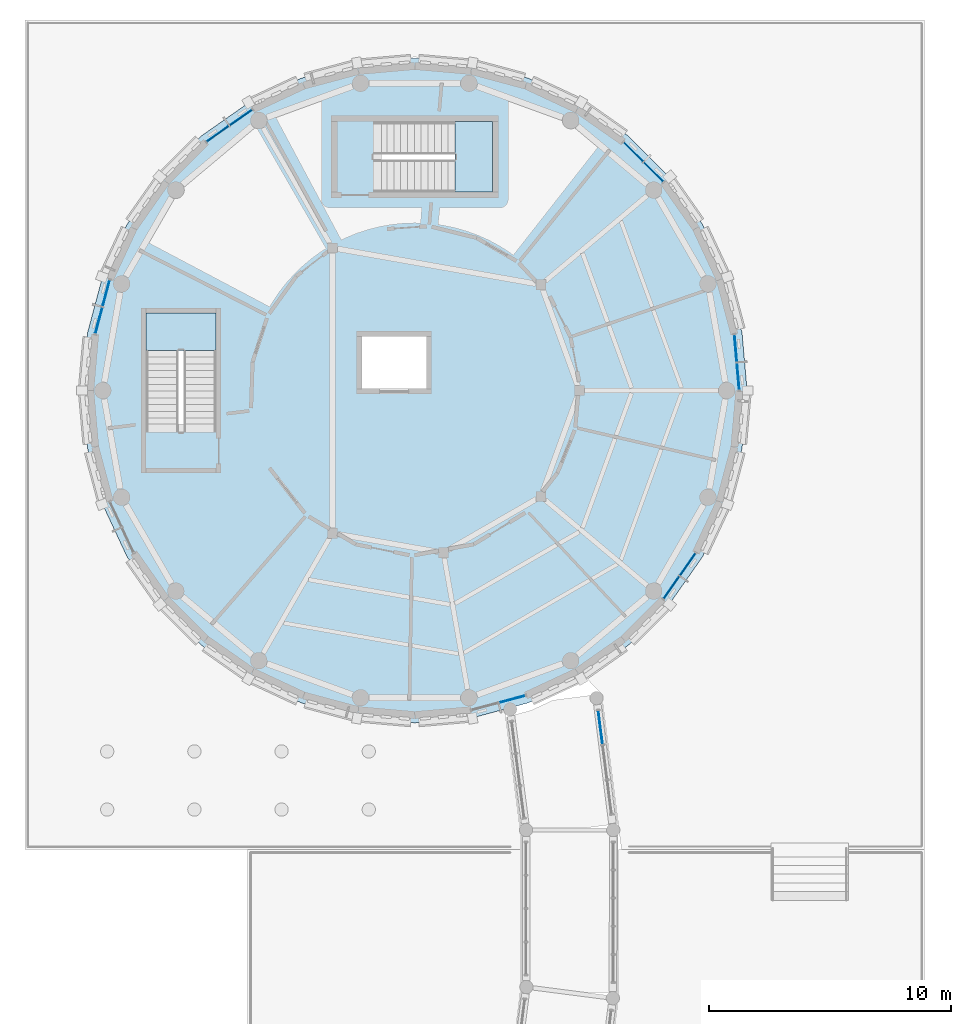
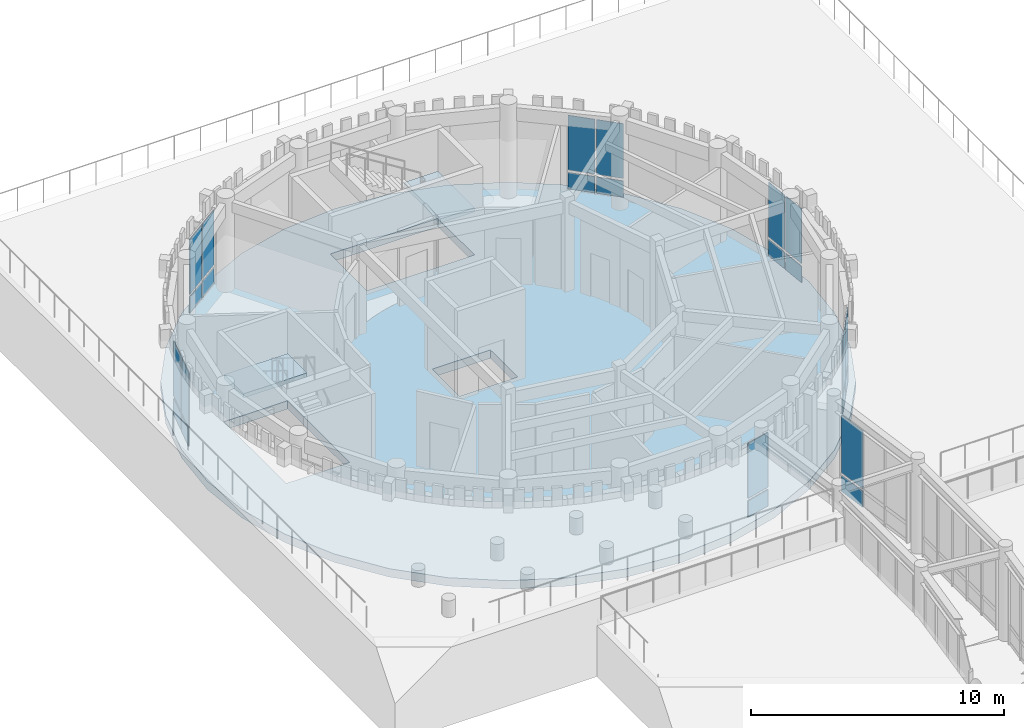
# One storey, part 39 of 94: 24 plates, 3 slabs, 9 elements without a shape of their own.
"""IFC4 building model written with IfcOpenShell, lengths in metres."""

from ifc_helpers import new_model, si_unit, direction, frame, origin, origin_2d, place, context, subcontext, project, spatial, polyline, rectangle, outline, extrude, material, layer, layer_set, type_object, element, aggregate, save


model = new_model("IFC4")

# Units and contexts
model_context = context("Model", 3, precision=1e-05, world=origin(), true_north=direction((0.0, 1.0)))
body_context = subcontext(model_context, "Body", "Model", "MODEL_VIEW")
ifc_project = project(units=[si_unit("LENGTHUNIT", "METRE"), si_unit("AREAUNIT", "SQUARE_METRE"), si_unit("VOLUMEUNIT", "CUBIC_METRE"), si_unit("PLANEANGLEUNIT", "RADIAN"), si_unit("MASSUNIT", "GRAM", prefix="KILO")], contexts=[model_context])

# Site, building, storey
site_placement = place(None, origin())
site = spatial("IfcSite", under=ifc_project, at=site_placement, CompositionType="ELEMENT")
building_placement = place(site_placement, origin())
building = spatial("IfcBuilding", under=site, at=building_placement, Name="Aldenvaro Health Centre", CompositionType="ELEMENT")
storey_placement = place(building_placement, origin())
storey = spatial("IfcBuildingStorey", under=building, at=storey_placement, Name="L00", CompositionType="ELEMENT", Elevation=0.0)

# Curtain wall, plates
ifc_material_1 = material(Name="Anodised Aluminium 6063-T6", Category="aluminium")
ifc_layer_1 = layer(ifc_material_1, 0.195068359375, Name="Anodised Aluminium 6063-T6", Category="aluminium")
ifc_layer_set_1 = layer_set([ifc_layer_1], Name="Anodised Aluminium 6063-T6")
curtain_wall_type_1 = type_object("IfcCurtainWallType", Name="CW-CLN-02", PredefinedType="NOTDEFINED", material=ifc_layer_set_1)
curtain_wall_1_placement = place(storey_placement, origin())
curtain_wall_1 = element("IfcCurtainWall", 1, at=curtain_wall_1_placement, inside=storey, type_object=curtain_wall_type_1, Name="D4 L00 curtain wall bay 04", PredefinedType="NOTDEFINED")
ifc_material_2 = material(Name="Low-E Double Glazing IGU", Category="glass")
ifc_layer_2 = layer(ifc_material_2, 0.028076171875, Name="Low-E Double Glazing IGU", Category="glass")
ifc_layer_set_2 = layer_set([ifc_layer_2], Name="Low-E Double Glazing IGU")
plate_type_1 = type_object("IfcPlateType", Name="CWP-IGU-28", PredefinedType="CURTAIN_PANEL", material=ifc_layer_set_2)
plate_1_placement = place(storey_placement, frame((29.77001953125, 92.322021484375, 0.96044921875), z_axis=(0.0, 0.0, 1.0), x_axis=(-0.573720929857, -0.819050849853, 0.0)))
plate_1 = element("IfcPlate", 2, at=plate_1_placement, type_object=plate_type_1, Name="D4 L00 curtain wall bay 04 vision glazing 1", PredefinedType="CURTAIN_PANEL", context=body_context, shape_type="SweptSolid", body=[
    extrude(rectangle(XDim=1.097900390625, YDim=0.028076171875, at=origin_2d()), origin(), (0.0, 0.0, 1.0), 2.638916015625),
])
plate_2_placement = place(storey_placement, frame((29.10009765625, 91.364990234375, 0.96044921875), z_axis=(0.0, 0.0, 1.0), x_axis=(-0.573720929857, -0.819050849853, 0.0)))
plate_2 = element("IfcPlate", 3, at=plate_2_placement, type_object=plate_type_1, Name="D4 L00 curtain wall bay 04 vision glazing 2", PredefinedType="CURTAIN_PANEL", context=body_context, shape_type="SweptSolid", body=[
    extrude(rectangle(XDim=1.097900390625, YDim=0.028076171875, at=origin_2d()), origin(), (0.0, 0.0, 1.0), 2.638916015625),
])

# Curtain wall, plate
curtain_wall_2_placement = place(storey_placement, origin())
curtain_wall_2 = element("IfcCurtainWall", 4, at=curtain_wall_2_placement, inside=storey, type_object=curtain_wall_type_1, Name="D4 L00 curtain wall bay 08", PredefinedType="NOTDEFINED")
plate_3_placement = place(storey_placement, frame((22.51904296875, 86.757080078125, 0.96044921875), z_axis=(0.0, 0.0, 1.0), x_axis=(-0.965978620089, -0.258621935517, 0.0)))
plate_3 = element("IfcPlate", 5, at=plate_3_placement, type_object=plate_type_1, Name="D4 L00 curtain wall bay 08 vision glazing 1", PredefinedType="CURTAIN_PANEL", context=body_context, shape_type="SweptSolid", body=[
    extrude(rectangle(XDim=1.097900390625, YDim=0.028076171875, at=origin_2d()), origin(), (0.0, 0.0, 1.0), 2.638916015625),
])

# Curtain wall, plates
curtain_wall_3_placement = place(storey_placement, origin())
curtain_wall_3 = element("IfcCurtainWall", 6, at=curtain_wall_3_placement, inside=storey, type_object=curtain_wall_type_1, Name="D4 L00 curtain wall bay 20", PredefinedType="NOTDEFINED")
plate_4_placement = place(storey_placement, frame((5.455078125, 102.39111328125, 0.96044921875), z_axis=(0.0, 0.0, 1.0), x_axis=(0.258621935517, 0.965978620089, 0.0)))
plate_4 = element("IfcPlate", 7, at=plate_4_placement, type_object=plate_type_1, Name="D4 L00 curtain wall bay 20 vision glazing 1", PredefinedType="CURTAIN_PANEL", context=body_context, shape_type="SweptSolid", body=[
    extrude(rectangle(XDim=1.097900390625, YDim=0.028076171875, at=origin_2d()), origin(), (0.0, 0.0, 1.0), 2.638916015625),
])
plate_5_placement = place(storey_placement, frame((5.757080078125, 103.51904296875, 0.96044921875), z_axis=(0.0, 0.0, 1.0), x_axis=(0.258621935517, 0.965978620089, 0.0)))
plate_5 = element("IfcPlate", 8, at=plate_5_placement, type_object=plate_type_1, Name="D4 L00 curtain wall bay 20 vision glazing 2", PredefinedType="CURTAIN_PANEL", context=body_context, shape_type="SweptSolid", body=[
    extrude(rectangle(XDim=1.097900390625, YDim=0.028076171875, at=origin_2d()), origin(), (0.0, 0.0, 1.0), 2.638916015625),
])

curtain_wall_4_placement = place(storey_placement, origin())
curtain_wall_4 = element("IfcCurtainWall", 9, at=curtain_wall_4_placement, inside=storey, type_object=curtain_wall_type_1, Name="D4 L00 curtain wall bay 24", PredefinedType="NOTDEFINED")
plate_6_placement = place(storey_placement, frame((10.364990234375, 110.10009765625, 0.96044921875), z_axis=(0.0, 0.0, 1.0), x_axis=(0.819050849853, 0.573720929857, 0.0)))
plate_6 = element("IfcPlate", 10, at=plate_6_placement, type_object=plate_type_1, Name="D4 L00 curtain wall bay 24 vision glazing 1", PredefinedType="CURTAIN_PANEL", context=body_context, shape_type="SweptSolid", body=[
    extrude(rectangle(XDim=1.097900390625, YDim=0.028076171875, at=origin_2d()), origin(), (0.0, 0.0, 1.0), 2.638916015625),
])
plate_7_placement = place(storey_placement, frame((11.322021484375, 110.77001953125, 0.96044921875), z_axis=(0.0, 0.0, 1.0), x_axis=(0.819050849853, 0.573720929857, 0.0)))
plate_7 = element("IfcPlate", 11, at=plate_7_placement, type_object=plate_type_1, Name="D4 L00 curtain wall bay 24 vision glazing 2", PredefinedType="CURTAIN_PANEL", context=body_context, shape_type="SweptSolid", body=[
    extrude(rectangle(XDim=1.097900390625, YDim=0.028076171875, at=origin_2d()), origin(), (0.0, 0.0, 1.0), 2.638916015625),
])

curtain_wall_5_placement = place(storey_placement, origin())
curtain_wall_5 = element("IfcCurtainWall", 12, at=curtain_wall_5_placement, inside=storey, type_object=curtain_wall_type_1, Name="D4 L00 curtain wall bay 32", PredefinedType="NOTDEFINED")
plate_8_placement = place(storey_placement, frame((27.52587890625, 109.35205078125, 0.96044921875), z_axis=(0.0, 0.0, 1.0), x_axis=(0.707106781187, -0.707106781187, 0.0)))
plate_8 = element("IfcPlate", 13, at=plate_8_placement, type_object=plate_type_1, Name="D4 L00 curtain wall bay 32 vision glazing 1", PredefinedType="CURTAIN_PANEL", context=body_context, shape_type="SweptSolid", body=[
    extrude(rectangle(XDim=1.097900390625, YDim=0.028076171875, at=origin_2d()), origin(), (0.0, 0.0, 1.0), 2.638916015625),
])
plate_9_placement = place(storey_placement, frame((28.35205078125, 108.52587890625, 0.96044921875), z_axis=(0.0, 0.0, 1.0), x_axis=(0.707106781187, -0.707106781187, 0.0)))
plate_9 = element("IfcPlate", 14, at=plate_9_placement, type_object=plate_type_1, Name="D4 L00 curtain wall bay 32 vision glazing 2", PredefinedType="CURTAIN_PANEL", context=body_context, shape_type="SweptSolid", body=[
    extrude(rectangle(XDim=1.097900390625, YDim=0.028076171875, at=origin_2d()), origin(), (0.0, 0.0, 1.0), 2.638916015625),
])

curtain_wall_6_placement = place(storey_placement, origin())
curtain_wall_6 = element("IfcCurtainWall", 15, at=curtain_wall_6_placement, inside=storey, type_object=curtain_wall_type_1, Name="D4 L00 curtain wall bay 36", PredefinedType="NOTDEFINED")
plate_10_placement = place(storey_placement, frame((31.7470703125, 101.2451171875, 0.96044921875), z_axis=(0.0, 0.0, 1.0), x_axis=(0.087331575855, -0.996179299052, 0.0)))
plate_10 = element("IfcPlate", 16, at=plate_10_placement, type_object=plate_type_1, Name="D4 L00 curtain wall bay 36 vision glazing 1", PredefinedType="CURTAIN_PANEL", context=body_context, shape_type="SweptSolid", body=[
    extrude(rectangle(XDim=1.097900390625, YDim=0.028076171875, at=origin_2d()), origin(), (0.0, 0.0, 1.0), 2.638916015625),
])
plate_11_placement = place(storey_placement, frame((31.84912109375, 100.08203125, 0.96044921875), z_axis=(0.0, 0.0, 1.0), x_axis=(0.087331575855, -0.996179299052, 0.0)))
plate_11 = element("IfcPlate", 17, at=plate_11_placement, type_object=plate_type_1, Name="D4 L00 curtain wall bay 36 vision glazing 2", PredefinedType="CURTAIN_PANEL", context=body_context, shape_type="SweptSolid", body=[
    extrude(rectangle(XDim=1.097900390625, YDim=0.028076171875, at=origin_2d()), origin(), (0.0, 0.0, 1.0), 2.638916015625),
])

# Curtain wall, plate
ifc_layer_3 = layer(ifc_material_1, 0.2099609375, Name="Anodised Aluminium 6063-T6", Category="aluminium")
ifc_layer_set_3 = layer_set([ifc_layer_3], Name="Anodised Aluminium 6063-T6")
curtain_wall_type_2 = type_object("IfcCurtainWallType", Name="CW-BRG-03", PredefinedType="NOTDEFINED", material=ifc_layer_set_3)
curtain_wall_7_placement = place(storey_placement, origin())
curtain_wall_7 = element("IfcCurtainWall", 18, at=curtain_wall_7_placement, inside=storey, type_object=curtain_wall_type_2, Name="West North Curved Garden Walkway Arc 3 L00 glazed link wall R-1.1", PredefinedType="NOTDEFINED")
plate_12_placement = place(storey_placement, frame((26.1630859375, 85.593994140625, 0.96044921875), z_axis=(0.0, 0.0, 1.0), x_axis=(-0.127774101566, 0.99180329651, 0.0)))
plate_12 = element("IfcPlate", 19, at=plate_12_placement, type_object=plate_type_1, Name="West North Curved Garden Walkway Arc 3 L00 glazed link wall R-1.1 vision glazing 3", PredefinedType="CURTAIN_PANEL", context=body_context, shape_type="SweptSolid", body=[
    extrude(rectangle(XDim=1.3779296875, YDim=0.028076171875, at=origin_2d()), origin(), (0.0, 0.0, 1.0), 2.784912109375),
])

# Plate
ifc_material_3 = material(Name="Insulated Aluminium Spandrel", Category="aluminium")
ifc_layer_4 = layer(ifc_material_3, 0.035888671875, Name="Insulated Aluminium Spandrel", Category="aluminium")
ifc_layer_set_4 = layer_set([ifc_layer_4], Name="Insulated Aluminium Spandrel")
plate_type_2 = type_object("IfcPlateType", Name="CWP-SPN-36", PredefinedType="CURTAIN_PANEL", material=ifc_layer_set_4)
plate_13_placement = place(storey_placement, frame((29.77001953125, 92.322021484375, 0.06005859375), z_axis=(0.0, 0.0, 1.0), x_axis=(-0.573720929857, -0.819050849853, 0.0)))
plate_13 = element("IfcPlate", 20, at=plate_13_placement, type_object=plate_type_2, Name="D4 L00 curtain wall bay 04 spandrel panel 1", PredefinedType="CURTAIN_PANEL", context=body_context, shape_type="SweptSolid", body=[
    extrude(rectangle(XDim=1.097900390625, YDim=0.035888671875, at=origin_2d()), origin(), (0.0, 0.0, 1.0), 0.780029296875),
])

plate_14_placement = place(storey_placement, frame((29.10009765625, 91.364990234375, 0.06005859375), z_axis=(0.0, 0.0, 1.0), x_axis=(-0.573720929857, -0.819050849853, 0.0)))
plate_14 = element("IfcPlate", 21, at=plate_14_placement, type_object=plate_type_2, Name="D4 L00 curtain wall bay 04 spandrel panel 2", PredefinedType="CURTAIN_PANEL", context=body_context, shape_type="SweptSolid", body=[
    extrude(rectangle(XDim=1.097900390625, YDim=0.035888671875, at=origin_2d()), origin(), (0.0, 0.0, 1.0), 0.780029296875),
])

aggregate(curtain_wall_1, [plate_13, plate_1, plate_14, plate_2])

plate_15_placement = place(storey_placement, frame((22.51904296875, 86.757080078125, 0.06005859375), z_axis=(0.0, 0.0, 1.0), x_axis=(-0.965978620089, -0.258621935517, 0.0)))
plate_15 = element("IfcPlate", 22, at=plate_15_placement, type_object=plate_type_2, Name="D4 L00 curtain wall bay 08 spandrel panel 1", PredefinedType="CURTAIN_PANEL", context=body_context, shape_type="SweptSolid", body=[
    extrude(rectangle(XDim=1.097900390625, YDim=0.035888671875, at=origin_2d()), origin(), (0.0, 0.0, 1.0), 0.780029296875),
])

aggregate(curtain_wall_2, [plate_15, plate_3])

plate_16_placement = place(storey_placement, frame((5.455078125, 102.39111328125, 0.06005859375), z_axis=(0.0, 0.0, 1.0), x_axis=(0.258621935517, 0.965978620089, 0.0)))
plate_16 = element("IfcPlate", 23, at=plate_16_placement, type_object=plate_type_2, Name="D4 L00 curtain wall bay 20 spandrel panel 1", PredefinedType="CURTAIN_PANEL", context=body_context, shape_type="SweptSolid", body=[
    extrude(rectangle(XDim=1.097900390625, YDim=0.035888671875, at=origin_2d()), origin(), (0.0, 0.0, 1.0), 0.780029296875),
])

plate_17_placement = place(storey_placement, frame((5.757080078125, 103.51904296875, 0.06005859375), z_axis=(0.0, 0.0, 1.0), x_axis=(0.258621935517, 0.965978620089, 0.0)))
plate_17 = element("IfcPlate", 24, at=plate_17_placement, type_object=plate_type_2, Name="D4 L00 curtain wall bay 20 spandrel panel 2", PredefinedType="CURTAIN_PANEL", context=body_context, shape_type="SweptSolid", body=[
    extrude(rectangle(XDim=1.097900390625, YDim=0.035888671875, at=origin_2d()), origin(), (0.0, 0.0, 1.0), 0.780029296875),
])

aggregate(curtain_wall_3, [plate_16, plate_4, plate_17, plate_5])

plate_18_placement = place(storey_placement, frame((10.364990234375, 110.10009765625, 0.06005859375), z_axis=(0.0, 0.0, 1.0), x_axis=(0.819050849853, 0.573720929857, 0.0)))
plate_18 = element("IfcPlate", 25, at=plate_18_placement, type_object=plate_type_2, Name="D4 L00 curtain wall bay 24 spandrel panel 1", PredefinedType="CURTAIN_PANEL", context=body_context, shape_type="SweptSolid", body=[
    extrude(rectangle(XDim=1.097900390625, YDim=0.035888671875, at=origin_2d()), origin(), (0.0, 0.0, 1.0), 0.780029296875),
])

plate_19_placement = place(storey_placement, frame((11.322021484375, 110.77001953125, 0.06005859375), z_axis=(0.0, 0.0, 1.0), x_axis=(0.819050849853, 0.573720929857, 0.0)))
plate_19 = element("IfcPlate", 26, at=plate_19_placement, type_object=plate_type_2, Name="D4 L00 curtain wall bay 24 spandrel panel 2", PredefinedType="CURTAIN_PANEL", context=body_context, shape_type="SweptSolid", body=[
    extrude(rectangle(XDim=1.097900390625, YDim=0.035888671875, at=origin_2d()), origin(), (0.0, 0.0, 1.0), 0.780029296875),
])

aggregate(curtain_wall_4, [plate_18, plate_6, plate_19, plate_7])

plate_20_placement = place(storey_placement, frame((27.52587890625, 109.35205078125, 0.06005859375), z_axis=(0.0, 0.0, 1.0), x_axis=(0.707106781187, -0.707106781187, 0.0)))
plate_20 = element("IfcPlate", 27, at=plate_20_placement, type_object=plate_type_2, Name="D4 L00 curtain wall bay 32 spandrel panel 1", PredefinedType="CURTAIN_PANEL", context=body_context, shape_type="SweptSolid", body=[
    extrude(rectangle(XDim=1.097900390625, YDim=0.035888671875, at=origin_2d()), origin(), (0.0, 0.0, 1.0), 0.780029296875),
])

plate_21_placement = place(storey_placement, frame((28.35205078125, 108.52587890625, 0.06005859375), z_axis=(0.0, 0.0, 1.0), x_axis=(0.707106781187, -0.707106781187, 0.0)))
plate_21 = element("IfcPlate", 28, at=plate_21_placement, type_object=plate_type_2, Name="D4 L00 curtain wall bay 32 spandrel panel 2", PredefinedType="CURTAIN_PANEL", context=body_context, shape_type="SweptSolid", body=[
    extrude(rectangle(XDim=1.097900390625, YDim=0.035888671875, at=origin_2d()), origin(), (0.0, 0.0, 1.0), 0.780029296875),
])

aggregate(curtain_wall_5, [plate_20, plate_8, plate_21, plate_9])

plate_22_placement = place(storey_placement, frame((31.7470703125, 101.2451171875, 0.06005859375), z_axis=(0.0, 0.0, 1.0), x_axis=(0.087331575855, -0.996179299052, 0.0)))
plate_22 = element("IfcPlate", 29, at=plate_22_placement, type_object=plate_type_2, Name="D4 L00 curtain wall bay 36 spandrel panel 1", PredefinedType="CURTAIN_PANEL", context=body_context, shape_type="SweptSolid", body=[
    extrude(rectangle(XDim=1.097900390625, YDim=0.035888671875, at=origin_2d()), origin(), (0.0, 0.0, 1.0), 0.780029296875),
])

plate_23_placement = place(storey_placement, frame((31.84912109375, 100.08203125, 0.06005859375), z_axis=(0.0, 0.0, 1.0), x_axis=(0.087331575855, -0.996179299052, 0.0)))
plate_23 = element("IfcPlate", 30, at=plate_23_placement, type_object=plate_type_2, Name="D4 L00 curtain wall bay 36 spandrel panel 2", PredefinedType="CURTAIN_PANEL", context=body_context, shape_type="SweptSolid", body=[
    extrude(rectangle(XDim=1.097900390625, YDim=0.035888671875, at=origin_2d()), origin(), (0.0, 0.0, 1.0), 0.780029296875),
])

aggregate(curtain_wall_6, [plate_22, plate_10, plate_23, plate_11])

plate_24_placement = place(storey_placement, frame((26.1630859375, 85.593994140625, 0.06005859375), z_axis=(0.0, 0.0, 1.0), x_axis=(-0.127774101566, 0.99180329651, 0.0)))
plate_24 = element("IfcPlate", 31, at=plate_24_placement, type_object=plate_type_2, Name="West North Curved Garden Walkway Arc 3 L00 glazed link wall R-1.1 spandrel panel 3", PredefinedType="CURTAIN_PANEL", context=body_context, shape_type="SweptSolid", body=[
    extrude(rectangle(XDim=1.3779296875, YDim=0.035888671875, at=origin_2d()), origin(), (0.0, 0.0, 1.0), 0.780029296875),
])

aggregate(curtain_wall_7, [plate_24, plate_12])

# Stair, slab
ifc_material_4 = material(Name="Concrete f'c 40 MPa", Category="concrete")
stair_type = type_object("IfcStairType", Name="STR-DOG-455", PredefinedType="HALF_TURN_STAIR", material=ifc_material_4)
stair_1_placement = place(storey_placement, origin())
stair_1 = element("IfcStair", 32, at=stair_1_placement, inside=storey, type_object=stair_type, Name="L00 Exit Stair ST-07", PredefinedType="HALF_TURN_STAIR")
ifc_layer_5 = layer(ifc_material_4, 0.199951171875, Name="Concrete f'c 40 MPa", Category="concrete")
ifc_layer_set_5 = layer_set([ifc_layer_5], Name="Concrete f'c 40 MPa")
slab_type_1 = type_object("IfcSlabType", Name="SLB-LND-200", PredefinedType="LANDING", material=ifc_layer_set_5)
slab_1_placement = place(storey_placement, frame((0.0, 0.0, 2.074951171875)))
slab_1 = element("IfcSlab", 33, at=slab_1_placement, type_object=slab_type_1, Name="ST-07 landing 1", PredefinedType="LANDING", context=body_context, shape_type="SweptSolid", body=[
    extrude(outline(polyline([(20.159912109375, 107.699951171875), (21.699951171875, 107.699951171875), (21.699951171875, 110.60009765625), (20.159912109375, 110.60009765625), (20.159912109375, 107.699951171875)])), origin(), (0.0, 0.0, 1.0), 0.199951171875),
])
aggregate(stair_1, [slab_1])

stair_2_placement = place(storey_placement, origin())
stair_2 = element("IfcStair", 34, at=stair_2_placement, inside=storey, type_object=stair_type, Name="L00 Exit Stair ST-08", PredefinedType="HALF_TURN_STAIR")
slab_2_placement = place(storey_placement, frame((0.0, 0.0, 2.074951171875)))
slab_2 = element("IfcSlab", 35, at=slab_2_placement, type_object=slab_type_1, Name="ST-08 landing 1", PredefinedType="LANDING", context=body_context, shape_type="SweptSolid", body=[
    extrude(outline(polyline([(10.300048828125, 101.159912109375), (10.300048828125, 102.699951171875), (7.39990234375, 102.699951171875), (7.39990234375, 101.159912109375), (10.300048828125, 101.159912109375)])), origin(), (0.0, 0.0, 1.0), 0.199951171875),
])
aggregate(stair_2, [slab_2])

# Slab
ifc_layer_6 = layer(ifc_material_4, 0.402099609375, Name="Concrete f'c 40 MPa", Category="concrete")
ifc_layer_set_6 = layer_set([ifc_layer_6], Name="Concrete f'c 40 MPa")
slab_type_2 = type_object("IfcSlabType", Name="SLB-POD-295", PredefinedType="FLOOR", material=ifc_layer_set_6)
slab_3_placement = place(storey_placement, frame((0.0, 0.0, -0.402099609375)))
element("IfcSlab", 36, at=slab_3_placement, inside=storey, type_object=slab_type_2, Name="D4 L00 floor slab", PredefinedType="FLOOR", context=body_context, shape_type="SweptSolid", body=[
    extrude(outline(polyline([(32.219970703125, 99.5), (32.011962890625, 101.882080078125), (31.39306640625, 104.193115234375), (30.382080078125, 106.360107421875), (29.010009765625, 108.319091796875), (27.319091796875, 110.010009765625), (25.360107421875, 111.382080078125), (23.193115234375, 112.39306640625), (20.882080078125, 113.011962890625), (18.5, 113.219970703125), (16.117919921875, 113.011962890625), (13.806884765625, 112.39306640625), (11.639892578125, 111.382080078125), (9.680908203125, 110.010009765625), (7.989990234375, 108.319091796875), (6.617919921875, 106.360107421875), (5.60693359375, 104.193115234375), (4.988037109375, 101.882080078125), (4.780029296875, 99.5), (4.988037109375, 97.117919921875), (5.60693359375, 94.806884765625), (6.617919921875, 92.639892578125), (7.989990234375, 90.680908203125), (9.680908203125, 88.989990234375), (11.639892578125, 87.617919921875), (13.806884765625, 86.60693359375), (16.117919921875, 85.988037109375), (18.5, 85.780029296875), (20.882080078125, 85.988037109375), (23.193115234375, 86.60693359375), (25.360107421875, 87.617919921875), (27.319091796875, 88.989990234375), (29.010009765625, 90.680908203125), (30.382080078125, 92.639892578125), (31.39306640625, 94.806884765625), (32.011962890625, 97.117919921875), (32.219970703125, 99.5)]), holes=[polyline([(16.800048828125, 107.699951171875), (21.699951171875, 107.699951171875), (21.699951171875, 110.60009765625), (16.800048828125, 110.60009765625), (16.800048828125, 107.699951171875)]), polyline([(10.300048828125, 97.800048828125), (10.300048828125, 102.699951171875), (7.39990234375, 102.699951171875), (7.39990234375, 97.800048828125), (10.300048828125, 97.800048828125)]), polyline([(16.324951171875, 99.574951171875), (18.97509765625, 99.574951171875), (18.97509765625, 101.72509765625), (16.324951171875, 101.72509765625), (16.324951171875, 99.574951171875)])]), origin(), (0.0, 0.0, 1.0), 0.402099609375),
])

save(model, "model.ifc")
